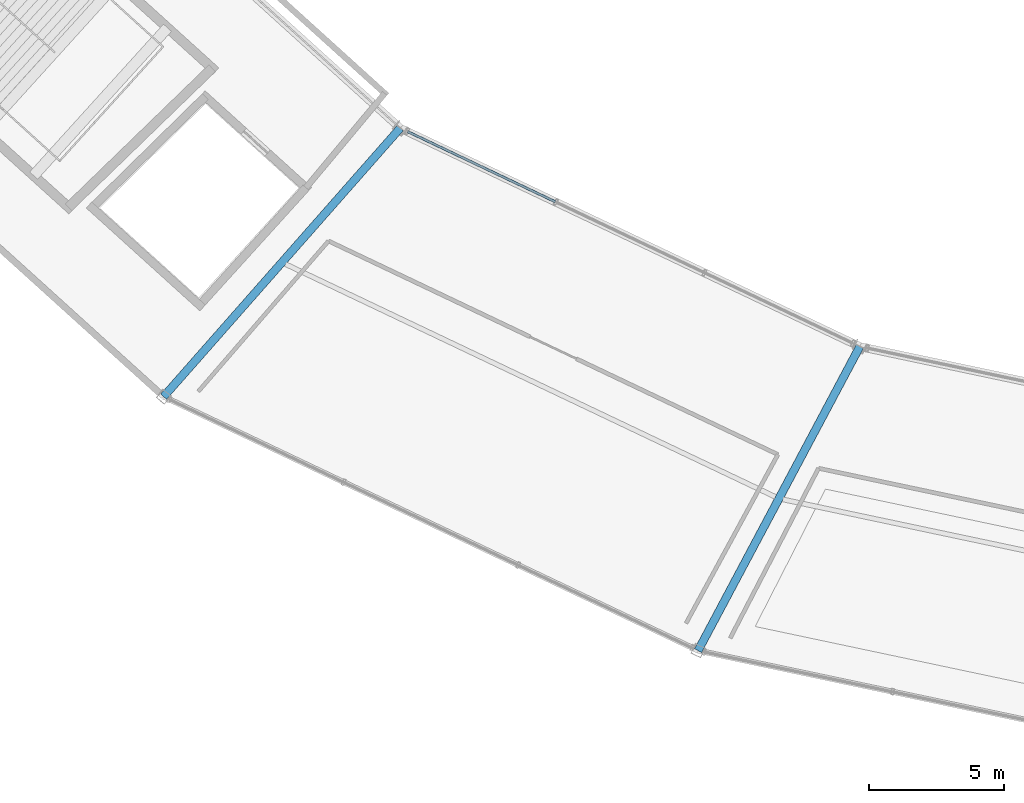
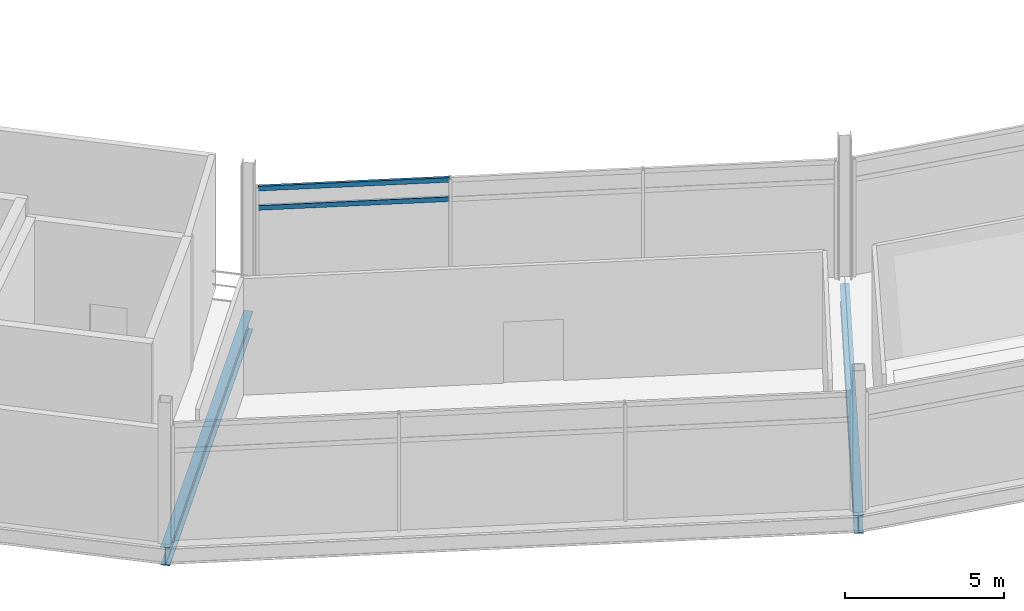
# One storey, part 18 of 86: 2 beams, 2 members, 1 element without a shape of its own.
"""IFC4 building model written with IfcOpenShell, lengths in metres."""

from ifc_helpers import new_model, si_unit, direction, frame, origin, origin_2d, place, context, subcontext, project, spatial, hollow_rectangle, i_section, extrude, material, layer, layer_set, material_profile, profile_set, type_object, element, aggregate, save


model = new_model("IFC4")

# Units and contexts
model_context = context("Model", 3, precision=1e-05, world=origin(), true_north=direction((0.0, 1.0)))
body_context = subcontext(model_context, "Body", "Model", "MODEL_VIEW")
ifc_project = project(units=[si_unit("LENGTHUNIT", "METRE"), si_unit("AREAUNIT", "SQUARE_METRE"), si_unit("VOLUMEUNIT", "CUBIC_METRE"), si_unit("PLANEANGLEUNIT", "RADIAN"), si_unit("MASSUNIT", "GRAM", prefix="KILO")], contexts=[model_context])

# Site, building, storey
site_placement = place(None, origin())
site = spatial("IfcSite", under=ifc_project, at=site_placement, CompositionType="ELEMENT")
building_placement = place(site_placement, origin())
building = spatial("IfcBuilding", under=site, at=building_placement, Name="Kazemori Nagisa Stadium", CompositionType="ELEMENT")
storey_placement = place(building_placement, frame((0.0, 0.0, 31.280029296875)))
storey = spatial("IfcBuildingStorey", under=building, at=storey_placement, Name="L06", CompositionType="ELEMENT", Elevation=31.280029296875)

# Beams
ifc_material_1 = material(Name="Steel SN490B", Category="steel")
ifc_material_profile_1 = material_profile(ifc_material_1, i_section(OverallWidth=0.300048828125, OverallDepth=0.699951171875, WebThickness=0.012939453125, FlangeThickness=0.02392578125, FilletRadius=0.01806640625, at=origin_2d()), Name="H-700x300x13x24")
ifc_profile_set_1 = profile_set([ifc_material_profile_1], Name="Steel SN490B")
beam_type = type_object("IfcBeamType", Name="Beam_BG-H700", PredefinedType="BEAM", material=ifc_profile_set_1)
beam_1_placement = place(storey_placement, frame((69.165771484375, 40.88916015625, -0.610107421875), z_axis=(-0.661019680997, -0.750368563664, 0.0), x_axis=(0.750368563664, -0.661019680997, 0.0)))
element("IfcBeam", 1, at=beam_1_placement, inside=storey, type_object=beam_type, Name="Radial girder BG-H700 L06 R2-R3-19", PredefinedType="BEAM", context=body_context, shape_type="SweptSolid", body=[
    extrude(i_section(OverallWidth=0.300048828125, OverallDepth=0.699951171875, WebThickness=0.012939453125, FlangeThickness=0.02392578125, FilletRadius=0.01806640625, at=origin_2d()), origin(), (0.0, 0.0, 1.0), 13.2578125),
])
beam_2_placement = place(storey_placement, frame((86.18798828125, 32.80078125, -0.610107421875), z_axis=(-0.469648511848, -0.882853484628, 0.0), x_axis=(0.882853484628, -0.469648511848, 0.0)))
element("IfcBeam", 2, at=beam_2_placement, inside=storey, type_object=beam_type, Name="Radial girder BG-H700 L06 R2-R3-20", PredefinedType="BEAM", context=body_context, shape_type="SweptSolid", body=[
    extrude(i_section(OverallWidth=0.300048828125, OverallDepth=0.699951171875, WebThickness=0.012939453125, FlangeThickness=0.02392578125, FilletRadius=0.01806640625, at=origin_2d()), origin(), (0.0, 0.0, 1.0), 12.760009765625),
])

# Curtain wall, members
ifc_material_2 = material(Name="Anodised aluminium 6063-T5", Category="aluminium")
ifc_layer = layer(ifc_material_2, 0.239990234375, Name="Anodised aluminium 6063-T5", Category="aluminium")
ifc_layer_set = layer_set([ifc_layer], Name="Anodised aluminium 6063-T5")
curtain_wall_type = type_object("IfcCurtainWallType", Name="CW_L06G_92", PredefinedType="USERDEFINED", material=ifc_layer_set)
curtain_wall_placement = place(storey_placement, origin())
curtain_wall = element("IfcCurtainWall", 3, at=curtain_wall_placement, inside=storey, type_object=curtain_wall_type, Name="Unitised curtain wall CW-L06G-92 L06", ObjectType="UNITISED CURTAIN WALL", PredefinedType="USERDEFINED")
ifc_material_3 = material(Name="Aluminium 6063-T5 anodised", Category="aluminium")
ifc_material_profile_2 = material_profile(ifc_material_3, hollow_rectangle(XDim=0.090087890625, YDim=0.179931640625, WallThickness=0.0048828125, at=origin_2d()), Name="ALU-TRAN-90x180x5")
ifc_profile_set_2 = profile_set([ifc_material_profile_2], Name="Aluminium 6063-T5 anodised")
member_type = type_object("IfcMemberType", Name="Transom_T03", PredefinedType="USERDEFINED", material=ifc_profile_set_2)
member_1_placement = place(storey_placement, frame((69.441162109375, 40.75830078125, 3.6982421875), z_axis=(0.903218867774, -0.429180238242, 0.0), x_axis=(0.429180238242, 0.903218867774, 0.0)))
member_1 = element("IfcMember", 4, at=member_1_placement, type_object=member_type, Name="Curtain wall transom CW-L06G-92-T1-mid", ObjectType="TRANSOM", PredefinedType="USERDEFINED", context=body_context, shape_type="SweptSolid", body=[
    extrude(hollow_rectangle(XDim=0.090087890625, YDim=0.179931640625, WallThickness=0.0048828125, at=origin_2d()), origin(), (0.0, 0.0, 1.0), 6.052001953125),
])
member_2_placement = place(storey_placement, frame((69.441162109375, 40.75830078125, 4.43994140625), z_axis=(0.903218867774, -0.429180238242, 0.0), x_axis=(0.429180238242, 0.903218867774, 0.0)))
member_2 = element("IfcMember", 5, at=member_2_placement, type_object=member_type, Name="Curtain wall transom CW-L06G-92-T1-head", ObjectType="TRANSOM", PredefinedType="USERDEFINED", context=body_context, shape_type="SweptSolid", body=[
    extrude(hollow_rectangle(XDim=0.090087890625, YDim=0.179931640625, WallThickness=0.0048828125, at=origin_2d()), origin(), (0.0, 0.0, 1.0), 6.052001953125),
])
aggregate(curtain_wall, [member_1, member_2])

save(model, "model.ifc")
